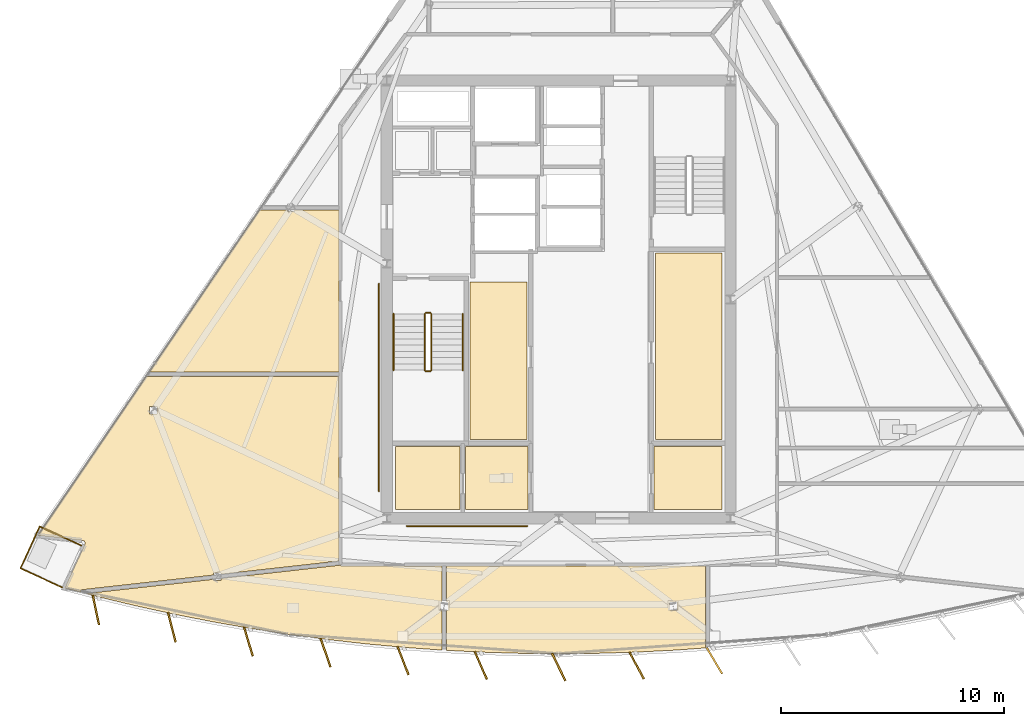
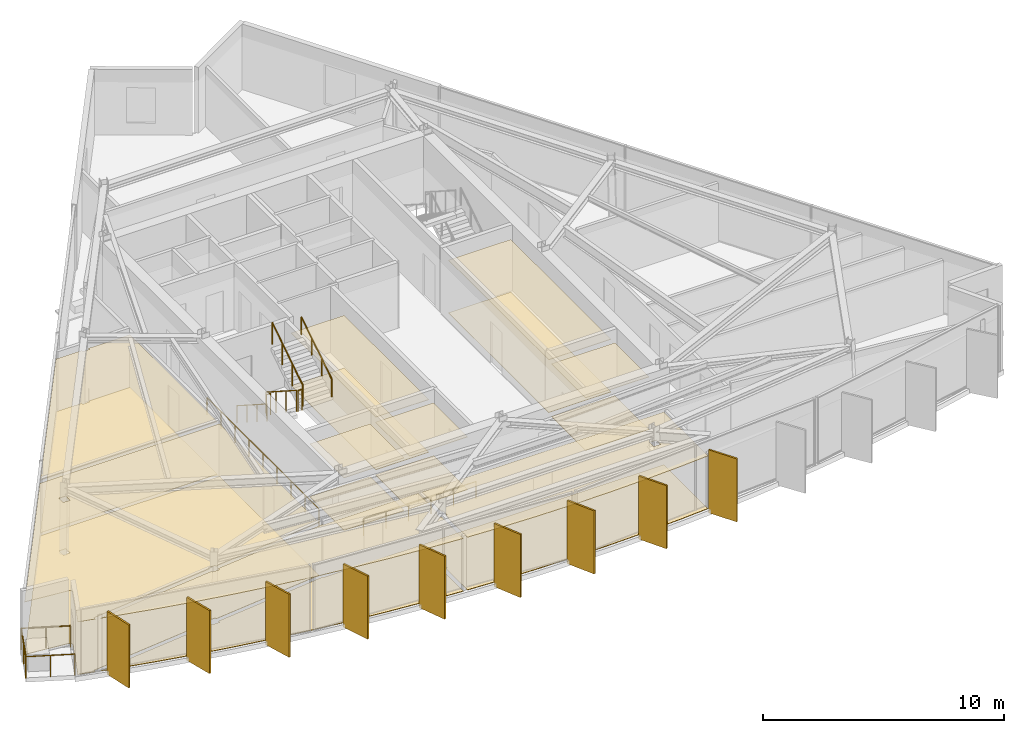
# One storey, part 9 of 12: 18 coverings, 11 railings, 9 shading devices.
"""IFC4 building model written with IfcOpenShell, lengths in metres."""

from ifc_helpers import new_model, si_unit, direction, frame, origin, origin_2d, place, context, subcontext, project, spatial, polyline, rectangle, circle, outline, extrude, material, layer, layer_set, type_object, element, save


model = new_model("IFC4")

# Units and contexts
model_context = context("Model", 3, precision=1e-05, world=origin(), true_north=direction((0.0, 1.0)))
body_context = subcontext(model_context, "Body", "Model", "MODEL_VIEW")
ifc_project = project(units=[si_unit("LENGTHUNIT", "METRE"), si_unit("AREAUNIT", "SQUARE_METRE"), si_unit("VOLUMEUNIT", "CUBIC_METRE"), si_unit("PLANEANGLEUNIT", "RADIAN"), si_unit("MASSUNIT", "GRAM", prefix="KILO")], contexts=[model_context])

# Site, building, storey
site_placement = place(None, origin())
site = spatial("IfcSite", under=ifc_project, at=site_placement, CompositionType="ELEMENT")
building_placement = place(site_placement, origin())
building = spatial("IfcBuilding", under=site, at=building_placement, Name="Savorim Split Tower", CompositionType="ELEMENT")
storey_placement = place(building_placement, frame((0.0, 0.0, 279.60009765625)))
storey = spatial("IfcBuildingStorey", under=building, at=storey_placement, Name="L74", CompositionType="ELEMENT", Elevation=279.60009765625)

# Coverings
ifc_material_1 = material(Name="Mineral Fibre Acoustic Ceiling")
ifc_layer_1 = layer(ifc_material_1, 0.02490234375)
ifc_layer_set_1 = layer_set([ifc_layer_1], Name="COV-CEIL-25")
covering_type_1 = type_object("IfcCoveringType", Name="COV-CEIL-25", PredefinedType="CEILING", material=ifc_layer_set_1)
covering_1_placement = place(storey_placement, frame((0.0, 0.0, 2.669921875)))
element("IfcCovering", 1, at=covering_1_placement, inside=storey, type_object=covering_type_1, Name="L74 Shared Pantry and Linen Room Acoustic Ceiling", PredefinedType="CEILING", context=body_context, shape_type="SweptSolid", body=[
    extrude(outline(polyline([(4.330078125, 2.469970703125), (4.330078125, -5.8701171875), (7.320068359375, -5.8701171875), (7.320068359375, 2.469970703125), (4.330078125, 2.469970703125)])), origin(), (0.0, 0.0, 1.0), 0.02490234375),
])
covering_2_placement = place(storey_placement, frame((0.0, 0.0, 2.669921875)))
element("IfcCovering", 2, at=covering_2_placement, inside=storey, type_object=covering_type_1, Name="L74 Housekeeping and Parcel Room Acoustic Ceiling", PredefinedType="CEILING", context=body_context, shape_type="SweptSolid", body=[
    extrude(outline(polyline([(-3.969970703125, 1.169921875), (-3.969970703125, -5.8701171875), (-1.429931640625, -5.8701171875), (-1.429931640625, 1.169921875), (-3.969970703125, 1.169921875)])), origin(), (0.0, 0.0, 1.0), 0.02490234375),
])
covering_3_placement = place(storey_placement, frame((0.0, 0.0, 2.669921875)))
element("IfcCovering", 3, at=covering_3_placement, inside=storey, type_object=covering_type_1, Name="L74 Housekeeping Store Acoustic Ceiling", PredefinedType="CEILING", context=body_context, shape_type="SweptSolid", body=[
    extrude(outline(polyline([(-7.320068359375, -6.179931640625), (-7.320068359375, -9.02001953125), (-4.429931640625, -9.02001953125), (-4.429931640625, -6.179931640625), (-7.320068359375, -6.179931640625)])), origin(), (0.0, 0.0, 1.0), 0.02490234375),
])
covering_4_placement = place(storey_placement, frame((0.0, 0.0, 2.669921875)))
element("IfcCovering", 4, at=covering_4_placement, inside=storey, type_object=covering_type_1, Name="L74 Accessible WC Acoustic Ceiling", PredefinedType="CEILING", context=body_context, shape_type="SweptSolid", body=[
    extrude(outline(polyline([(-4.169921875, -6.179931640625), (-4.169921875, -9.02001953125), (-1.3798828125, -9.02001953125), (-1.3798828125, -6.179931640625), (-4.169921875, -6.179931640625)])), origin(), (0.0, 0.0, 1.0), 0.02490234375),
])
covering_5_placement = place(storey_placement, frame((0.0, 0.0, 2.669921875)))
element("IfcCovering", 5, at=covering_5_placement, inside=storey, type_object=covering_type_1, Name="L74 Core IT Server Room Acoustic Ceiling", PredefinedType="CEILING", context=body_context, shape_type="SweptSolid", body=[
    extrude(outline(polyline([(4.280029296875, -6.179931640625), (4.280029296875, -9.02001953125), (7.320068359375, -9.02001953125), (7.320068359375, -6.179931640625), (4.280029296875, -6.179931640625)])), origin(), (0.0, 0.0, 1.0), 0.02490234375),
])
covering_6_placement = place(storey_placement, frame((0.0, 0.0, 2.669921875)))
element("IfcCovering", 6, at=covering_6_placement, inside=storey, type_object=covering_type_1, Name="L74 Quiet Study Room Acoustic Ceiling", PredefinedType="CEILING", context=body_context, shape_type="SweptSolid", body=[
    extrude(outline(polyline([(-13.272705078125, 4.411865234375), (-13.367919921875, 4.411865234375), (-13.367919921875, 4.456298828125), (-18.34375, -2.8583984375), (-9.840087890625, -2.8583984375), (-9.840087890625, 4.411865234375), (-11.82470703125, 4.411865234375), (-11.82470703125, 4.331787109375), (-12.15380859375, 4.331787109375), (-12.15380859375, 4.411865234375), (-13.272705078125, 4.411865234375)])), origin(), (0.0, 0.0, 1.0), 0.02490234375),
])
covering_7_placement = place(storey_placement, frame((0.0, 0.0, 2.669921875)))
element("IfcCovering", 7, at=covering_7_placement, inside=storey, type_object=covering_type_1, Name="L74 Co-Working Commons Acoustic Ceiling", PredefinedType="CEILING", context=body_context, shape_type="SweptSolid", body=[
    extrude(outline(polyline([(-21.21337890625, -10.518798828125), (-21.214111328125, -10.530517578125), (-21.21630859375, -10.54248046875), (-21.2197265625, -10.5537109375), (-21.22412109375, -10.56494140625), (-22.125244140625, -12.526123046875), (-21.385986328125, -12.719482421875), (-21.3984375, -12.608154296875), (-15.460693359375, -11.945556640625), (-15.460693359375, -11.84765625), (-15.1318359375, -11.84765625), (-15.1318359375, -11.90869140625), (-9.849609375, -11.3193359375), (-9.840087890625, -11.318115234375), (-9.840087890625, -3.04833984375), (-18.472900390625, -3.04833984375), (-23.3193359375, -10.172119140625), (-21.31982421875, -10.3955078125), (-21.30810546875, -10.3974609375), (-21.296630859375, -10.400390625), (-21.285400390625, -10.40478515625), (-21.274658203125, -10.409912109375), (-21.2646484375, -10.41650390625), (-21.255126953125, -10.423583984375), (-21.24658203125, -10.431884765625), (-21.23876953125, -10.44091796875), (-21.231689453125, -10.45068359375), (-21.225830078125, -10.4609375), (-21.22119140625, -10.471923828125), (-21.21728515625, -10.4833984375), (-21.21484375, -10.494873046875), (-21.21337890625, -10.5068359375), (-21.21337890625, -10.518798828125)]), holes=[polyline([(-18.322021484375, -4.7353515625), (-17.992919921875, -4.7353515625), (-17.992919921875, -4.385498046875), (-18.322021484375, -4.385498046875), (-18.322021484375, -4.7353515625)])]), origin(), (0.0, 0.0, 1.0), 0.02490234375),
])
covering_8_placement = place(storey_placement, frame((0.0, 0.0, 2.669921875)))
element("IfcCovering", 8, at=covering_8_placement, inside=storey, type_object=covering_type_1, Name="L74 Shared Kitchen Acoustic Ceiling", PredefinedType="CEILING", context=body_context, shape_type="SweptSolid", body=[
    extrude(outline(polyline([(-12.088623046875, -14.601806640625), (-10.37109375, -14.83154296875), (-8.649169921875, -15.026123046875), (-6.923583984375, -15.185546875), (-5.2216796875, -15.3076171875), (-5.2216796875, -13.50341796875), (-5.291015625, -13.50341796875), (-5.291015625, -13.1533203125), (-5.2216796875, -13.1533203125), (-5.2216796875, -11.5400390625), (-9.699951171875, -11.5400390625), (-9.713623046875, -11.539306640625), (-9.727294921875, -11.537353515625), (-9.740478515625, -11.533935546875), (-9.753662109375, -11.529296875), (-9.76611328125, -11.5234375), (-9.77783203125, -11.516357421875), (-9.788818359375, -11.50830078125), (-9.793212890625, -11.504150390625), (-15.1318359375, -12.099853515625), (-15.1318359375, -12.19775390625), (-15.460693359375, -12.19775390625), (-15.460693359375, -12.13671875), (-21.17578125, -12.7744140625), (-20.5859375, -12.9287109375), (-18.90087890625, -13.332763671875), (-17.2080078125, -13.7021484375), (-15.5078125, -14.036865234375), (-13.801025390625, -14.3369140625), (-12.088623046875, -14.601806640625)])), origin(), (0.0, 0.0, 1.0), 0.02490234375),
])
covering_9_placement = place(storey_placement, frame((0.0, 0.0, 2.669921875)))
element("IfcCovering", 9, at=covering_9_placement, inside=storey, type_object=covering_type_1, Name="L74 Quiet Study Room Acoustic Ceiling", PredefinedType="CEILING", context=body_context, shape_type="SweptSolid", body=[
    extrude(outline(polyline([(1.732666015625, -15.451171875), (3.46484375, -15.398193359375), (5.1953125, -15.3095703125), (6.578857421875, -15.210205078125), (6.578857421875, -11.5400390625), (-5.031494140625, -11.5400390625), (-5.031494140625, -13.1533203125), (-4.962158203125, -13.1533203125), (-4.962158203125, -13.50341796875), (-5.031494140625, -13.50341796875), (-5.031494140625, -15.262939453125), (-5.031494140625, -15.31787109375), (-3.46484375, -15.398193359375), (-1.732666015625, -15.451171875), (0.0, -15.468994140625), (1.732666015625, -15.451171875)]), holes=[polyline([(4.962158203125, -13.50341796875), (5.291015625, -13.50341796875), (5.291015625, -13.1533203125), (4.962158203125, -13.1533203125), (4.962158203125, -13.50341796875)])]), origin(), (0.0, 0.0, 1.0), 0.02490234375),
])
ifc_material_2 = material(Name="Porcelain Stoneware Flooring", Category="masonry")
ifc_layer_2 = layer(ifc_material_2, 0.02001953125)
ifc_layer_set_2 = layer_set([ifc_layer_2], Name="COV-FLOR-20")
covering_type_2 = type_object("IfcCoveringType", Name="COV-FLOR-20", PredefinedType="FLOORING", material=ifc_layer_set_2)
covering_10_placement = place(storey_placement, origin())
element("IfcCovering", 10, at=covering_10_placement, inside=storey, type_object=covering_type_2, Name="L74 Shared Pantry and Linen Room Porcelain Flooring", PredefinedType="FLOORING", context=body_context, shape_type="SweptSolid", body=[
    extrude(outline(polyline([(4.330078125, 2.469970703125), (4.330078125, -5.8701171875), (7.320068359375, -5.8701171875), (7.320068359375, 2.469970703125), (4.330078125, 2.469970703125)])), origin(), (0.0, 0.0, 1.0), 0.02001953125),
])
covering_11_placement = place(storey_placement, origin())
element("IfcCovering", 11, at=covering_11_placement, inside=storey, type_object=covering_type_2, Name="L74 Housekeeping and Parcel Room Porcelain Flooring", PredefinedType="FLOORING", context=body_context, shape_type="SweptSolid", body=[
    extrude(outline(polyline([(-3.969970703125, 1.169921875), (-3.969970703125, -5.8701171875), (-1.429931640625, -5.8701171875), (-1.429931640625, 1.169921875), (-3.969970703125, 1.169921875)])), origin(), (0.0, 0.0, 1.0), 0.02001953125),
])
covering_12_placement = place(storey_placement, origin())
element("IfcCovering", 12, at=covering_12_placement, inside=storey, type_object=covering_type_2, Name="L74 Housekeeping Store Porcelain Flooring", PredefinedType="FLOORING", context=body_context, shape_type="SweptSolid", body=[
    extrude(outline(polyline([(-7.320068359375, -6.179931640625), (-7.320068359375, -9.02001953125), (-4.429931640625, -9.02001953125), (-4.429931640625, -6.179931640625), (-7.320068359375, -6.179931640625)])), origin(), (0.0, 0.0, 1.0), 0.02001953125),
])
covering_13_placement = place(storey_placement, origin())
element("IfcCovering", 13, at=covering_13_placement, inside=storey, type_object=covering_type_2, Name="L74 Accessible WC Porcelain Flooring", PredefinedType="FLOORING", context=body_context, shape_type="SweptSolid", body=[
    extrude(outline(polyline([(-4.169921875, -6.179931640625), (-4.169921875, -9.02001953125), (-1.3798828125, -9.02001953125), (-1.3798828125, -6.179931640625), (-4.169921875, -6.179931640625)])), origin(), (0.0, 0.0, 1.0), 0.02001953125),
])
covering_14_placement = place(storey_placement, origin())
element("IfcCovering", 14, at=covering_14_placement, inside=storey, type_object=covering_type_2, Name="L74 Core IT Server Room Porcelain Flooring", PredefinedType="FLOORING", context=body_context, shape_type="SweptSolid", body=[
    extrude(outline(polyline([(4.280029296875, -6.179931640625), (4.280029296875, -9.02001953125), (7.320068359375, -9.02001953125), (7.320068359375, -6.179931640625), (4.280029296875, -6.179931640625)])), origin(), (0.0, 0.0, 1.0), 0.02001953125),
])
covering_15_placement = place(storey_placement, origin())
element("IfcCovering", 15, at=covering_15_placement, inside=storey, type_object=covering_type_2, Name="L74 Quiet Study Room Porcelain Flooring", PredefinedType="FLOORING", context=body_context, shape_type="SweptSolid", body=[
    extrude(outline(polyline([(-13.272705078125, 4.411865234375), (-13.367919921875, 4.411865234375), (-13.367919921875, 4.456298828125), (-18.34375, -2.8583984375), (-9.840087890625, -2.8583984375), (-9.840087890625, 4.411865234375), (-11.82470703125, 4.411865234375), (-11.82470703125, 4.331787109375), (-12.15380859375, 4.331787109375), (-12.15380859375, 4.411865234375), (-13.272705078125, 4.411865234375)])), origin(), (0.0, 0.0, 1.0), 0.02001953125),
])
covering_16_placement = place(storey_placement, origin())
element("IfcCovering", 16, at=covering_16_placement, inside=storey, type_object=covering_type_2, Name="L74 Co-Working Commons Porcelain Flooring", PredefinedType="FLOORING", context=body_context, shape_type="SweptSolid", body=[
    extrude(outline(polyline([(-21.21337890625, -10.518798828125), (-21.214111328125, -10.530517578125), (-21.21630859375, -10.54248046875), (-21.2197265625, -10.5537109375), (-21.22412109375, -10.56494140625), (-22.125244140625, -12.526123046875), (-21.385986328125, -12.719482421875), (-21.3984375, -12.608154296875), (-15.460693359375, -11.945556640625), (-15.460693359375, -11.84765625), (-15.1318359375, -11.84765625), (-15.1318359375, -11.90869140625), (-9.849609375, -11.3193359375), (-9.840087890625, -11.318115234375), (-9.840087890625, -3.04833984375), (-18.472900390625, -3.04833984375), (-23.3193359375, -10.172119140625), (-21.31982421875, -10.3955078125), (-21.30810546875, -10.3974609375), (-21.296630859375, -10.400390625), (-21.285400390625, -10.40478515625), (-21.274658203125, -10.409912109375), (-21.2646484375, -10.41650390625), (-21.255126953125, -10.423583984375), (-21.24658203125, -10.431884765625), (-21.23876953125, -10.44091796875), (-21.231689453125, -10.45068359375), (-21.225830078125, -10.4609375), (-21.22119140625, -10.471923828125), (-21.21728515625, -10.4833984375), (-21.21484375, -10.494873046875), (-21.21337890625, -10.5068359375), (-21.21337890625, -10.518798828125)]), holes=[polyline([(-18.322021484375, -4.7353515625), (-17.992919921875, -4.7353515625), (-17.992919921875, -4.385498046875), (-18.322021484375, -4.385498046875), (-18.322021484375, -4.7353515625)])]), origin(), (0.0, 0.0, 1.0), 0.02001953125),
])
covering_17_placement = place(storey_placement, origin())
element("IfcCovering", 17, at=covering_17_placement, inside=storey, type_object=covering_type_2, Name="L74 Shared Kitchen Porcelain Flooring", PredefinedType="FLOORING", context=body_context, shape_type="SweptSolid", body=[
    extrude(outline(polyline([(-12.088623046875, -14.601806640625), (-10.37109375, -14.83154296875), (-8.649169921875, -15.026123046875), (-6.923583984375, -15.185546875), (-5.2216796875, -15.3076171875), (-5.2216796875, -13.50341796875), (-5.291015625, -13.50341796875), (-5.291015625, -13.1533203125), (-5.2216796875, -13.1533203125), (-5.2216796875, -11.5400390625), (-9.699951171875, -11.5400390625), (-9.713623046875, -11.539306640625), (-9.727294921875, -11.537353515625), (-9.740478515625, -11.533935546875), (-9.753662109375, -11.529296875), (-9.76611328125, -11.5234375), (-9.77783203125, -11.516357421875), (-9.788818359375, -11.50830078125), (-9.793212890625, -11.504150390625), (-15.1318359375, -12.099853515625), (-15.1318359375, -12.19775390625), (-15.460693359375, -12.19775390625), (-15.460693359375, -12.13671875), (-21.17578125, -12.7744140625), (-20.5859375, -12.9287109375), (-18.90087890625, -13.332763671875), (-17.2080078125, -13.7021484375), (-15.5078125, -14.036865234375), (-13.801025390625, -14.3369140625), (-12.088623046875, -14.601806640625)])), origin(), (0.0, 0.0, 1.0), 0.02001953125),
])
covering_18_placement = place(storey_placement, origin())
element("IfcCovering", 18, at=covering_18_placement, inside=storey, type_object=covering_type_2, Name="L74 Quiet Study Room Porcelain Flooring", PredefinedType="FLOORING", context=body_context, shape_type="SweptSolid", body=[
    extrude(outline(polyline([(1.732666015625, -15.451171875), (3.46484375, -15.398193359375), (5.1953125, -15.3095703125), (6.578857421875, -15.210205078125), (6.578857421875, -11.5400390625), (-5.031494140625, -11.5400390625), (-5.031494140625, -13.1533203125), (-4.962158203125, -13.1533203125), (-4.962158203125, -13.50341796875), (-5.031494140625, -13.50341796875), (-5.031494140625, -15.262939453125), (-5.031494140625, -15.31787109375), (-3.46484375, -15.398193359375), (-1.732666015625, -15.451171875), (0.0, -15.468994140625), (1.732666015625, -15.451171875)]), holes=[polyline([(4.962158203125, -13.50341796875), (5.291015625, -13.50341796875), (5.291015625, -13.1533203125), (4.962158203125, -13.1533203125), (4.962158203125, -13.50341796875)])]), origin(), (0.0, 0.0, 1.0), 0.02001953125),
])

# Railings
ifc_material_3 = material(Name="Galvanised Painted Steel Balustrade", Category="steel")
railing_type_1 = type_object("IfcRailingType", Name="RLG-BAL-1100", PredefinedType="BALUSTRADE", material=ifc_material_3)
railing_1_placement = place(storey_placement, frame((-22.243896484375, -12.4970703125, 0.0)))
element("IfcRailing", 19, at=railing_1_placement, inside=storey, type_object=railing_type_1, Name="L74 Tree Balcony Guardrail SW-1", PredefinedType="BALUSTRADE", context=body_context, shape_type="SweptSolid", body=[
    extrude(circle(Radius=0.02392578125, at=origin_2d()), frame((0.0, 0.0, 1.076171875), z_axis=(-0.908662190505, 0.417532062898, 0.0), x_axis=(-0.417532062898, -0.908662190505, 0.0)), (0.0, 0.0, 1.0), 2.050048828125),
    extrude(circle(Radius=0.02099609375, at=origin_2d()), origin(), (0.0, 0.0, 1.0), 1.052001953125),
    extrude(circle(Radius=0.02099609375, at=origin_2d()), frame((-0.931396484375, 0.427978515625, 0.0)), (0.0, 0.0, 1.0), 1.052001953125),
    extrude(circle(Radius=0.02099609375, at=origin_2d()), frame((-1.86279296875, 0.85595703125, 0.0)), (0.0, 0.0, 1.0), 1.052001953125),
])
railing_2_placement = place(storey_placement, frame((-24.106689453125, -11.64111328125, 0.0)))
element("IfcRailing", 20, at=railing_2_placement, inside=storey, type_object=railing_type_1, Name="L74 Tree Balcony Guardrail SW-2", PredefinedType="BALUSTRADE", context=body_context, shape_type="SweptSolid", body=[
    extrude(circle(Radius=0.02392578125, at=origin_2d()), frame((0.0, 0.0, 1.076171875), z_axis=(0.417457885671, 0.908696271419, 0.0), x_axis=(-0.908696271419, 0.417457885671, 0.0)), (0.0, 0.0, 1.0), 2.0615234375),
    extrude(circle(Radius=0.02099609375, at=origin_2d()), origin(), (0.0, 0.0, 1.0), 1.052001953125),
    extrude(circle(Radius=0.02099609375, at=origin_2d()), frame((0.43017578125, 0.9365234375, 0.0)), (0.0, 0.0, 1.0), 1.052001953125),
    extrude(circle(Radius=0.02099609375, at=origin_2d()), frame((0.860595703125, 1.873291015625, 0.0)), (0.0, 0.0, 1.0), 1.052001953125),
])
railing_3_placement = place(storey_placement, frame((-23.24609375, -9.767822265625, 0.0)))
element("IfcRailing", 21, at=railing_3_placement, inside=storey, type_object=railing_type_1, Name="L74 Tree Balcony Guardrail SW-3", PredefinedType="BALUSTRADE", context=body_context, shape_type="SweptSolid", body=[
    extrude(circle(Radius=0.02392578125, at=origin_2d()), frame((0.0, 0.0, 1.076171875), z_axis=(0.908662190505, -0.417532062898, 0.0), x_axis=(0.417532062898, 0.908662190505, 0.0)), (0.0, 0.0, 1.0), 2.050048828125),
    extrude(circle(Radius=0.02099609375, at=origin_2d()), origin(), (0.0, 0.0, 1.0), 1.052001953125),
    extrude(circle(Radius=0.02099609375, at=origin_2d()), frame((0.931396484375, -0.427978515625, 0.0)), (0.0, 0.0, 1.0), 1.052001953125),
    extrude(circle(Radius=0.02099609375, at=origin_2d()), frame((1.86279296875, -0.85595703125, 0.0)), (0.0, 0.0, 1.0), 1.052001953125),
])
railing_type_2 = type_object("IfcRailingType", Name="RLG-HR-900", PredefinedType="HANDRAIL", material=ifc_material_3)
railing_4_placement = place(storey_placement, frame((-7.39990234375, -0.25, 0.179931640625)))
element("IfcRailing", 22, at=railing_4_placement, inside=storey, type_object=railing_type_2, Name="L74 ST-1 stair handrail 1", PredefinedType="HANDRAIL", context=body_context, shape_type="SweptSolid", body=[
    extrude(circle(Radius=0.02392578125, at=origin_2d()), frame((0.0, 0.0, 0.8759765625), z_axis=(0.0, -0.841199657755, 0.540724639528), x_axis=(1.0, 0.0, 0.0)), (0.0, 0.0, 1.0), 2.995849609375),
    extrude(circle(Radius=0.02099609375, at=origin_2d()), origin(), (0.0, 0.0, 1.0), 0.851806640625),
    extrude(circle(Radius=0.02099609375, at=origin_2d()), frame((0.0, -0.840087890625, 0.5400390625)), (0.0, 0.0, 1.0), 0.851806640625),
    extrude(circle(Radius=0.02099609375, at=origin_2d()), frame((0.0, -1.679931640625, 1.079833984375)), (0.0, 0.0, 1.0), 0.851806640625),
    extrude(circle(Radius=0.02099609375, at=origin_2d()), frame((0.0, -2.52001953125, 1.619873046875)), (0.0, 0.0, 1.0), 0.851806640625),
])
railing_5_placement = place(storey_placement, frame((-4.300048828125, -2.77001953125, 1.97998046875)))
element("IfcRailing", 23, at=railing_5_placement, inside=storey, type_object=railing_type_2, Name="L74 ST-1 stair handrail 2", PredefinedType="HANDRAIL", context=body_context, shape_type="SweptSolid", body=[
    extrude(circle(Radius=0.02392578125, at=origin_2d()), frame((0.0, 0.0, 0.8759765625), z_axis=(0.0, 0.841199657755, 0.540724639528), x_axis=(-1.0, 0.0, 0.0)), (0.0, 0.0, 1.0), 2.995849609375),
    extrude(circle(Radius=0.02099609375, at=origin_2d()), origin(), (0.0, 0.0, 1.0), 0.851806640625),
    extrude(circle(Radius=0.02099609375, at=origin_2d()), frame((0.0, 0.840087890625, 0.5400390625)), (0.0, 0.0, 1.0), 0.851806640625),
    extrude(circle(Radius=0.02099609375, at=origin_2d()), frame((0.0, 1.679931640625, 1.079833984375)), (0.0, 0.0, 1.0), 0.851806640625),
    extrude(circle(Radius=0.02099609375, at=origin_2d()), frame((0.0, 2.52001953125, 1.619873046875)), (0.0, 0.0, 1.0), 0.851806640625),
])
railing_6_placement = place(storey_placement, frame((-6.800048828125, -9.75, 0.0)))
element("IfcRailing", 24, at=railing_6_placement, inside=storey, type_object=railing_type_2, Name="L74 Corridor South Accessible Handrail", PredefinedType="HANDRAIL", context=body_context, shape_type="SweptSolid", body=[
    extrude(circle(Radius=0.02392578125, at=origin_2d()), frame((0.0, 0.0, 0.8759765625), z_axis=(1.0, 0.0, 0.0), x_axis=(0.0, 1.0, 0.0)), (0.0, 0.0, 1.0), 5.400146484375),
    extrude(circle(Radius=0.02099609375, at=origin_2d()), origin(), (0.0, 0.0, 1.0), 0.851806640625),
    extrude(circle(Radius=0.02099609375, at=origin_2d()), frame((1.080078125, 0.0, 0.0)), (0.0, 0.0, 1.0), 0.851806640625),
    extrude(circle(Radius=0.02099609375, at=origin_2d()), frame((2.16015625, 0.0, 0.0)), (0.0, 0.0, 1.0), 0.851806640625),
    extrude(circle(Radius=0.02099609375, at=origin_2d()), frame((3.239990234375, 0.0, 0.0)), (0.0, 0.0, 1.0), 0.851806640625),
    extrude(circle(Radius=0.02099609375, at=origin_2d()), frame((4.320068359375, 0.0, 0.0)), (0.0, 0.0, 1.0), 0.851806640625),
    extrude(circle(Radius=0.02099609375, at=origin_2d()), frame((5.400146484375, 0.0, 0.0)), (0.0, 0.0, 1.0), 0.851806640625),
])
railing_7_placement = place(storey_placement, frame((-8.050048828125, -8.199951171875, 0.0)))
element("IfcRailing", 25, at=railing_7_placement, inside=storey, type_object=railing_type_2, Name="L74 Corridor West Accessible Handrail", PredefinedType="HANDRAIL", context=body_context, shape_type="SweptSolid", body=[
    extrude(circle(Radius=0.02392578125, at=origin_2d()), frame((0.0, 0.0, 0.8759765625), z_axis=(0.0, 1.0, 0.0), x_axis=(-1.0, 0.0, 0.0)), (0.0, 0.0, 1.0), 9.300048828125),
    extrude(circle(Radius=0.02099609375, at=origin_2d()), origin(), (0.0, 0.0, 1.0), 0.851806640625),
    extrude(circle(Radius=0.02099609375, at=origin_2d()), frame((0.0, 1.16259765625, 0.0)), (0.0, 0.0, 1.0), 0.851806640625),
    extrude(circle(Radius=0.02099609375, at=origin_2d()), frame((0.0, 2.324951171875, 0.0)), (0.0, 0.0, 1.0), 0.851806640625),
    extrude(circle(Radius=0.02099609375, at=origin_2d()), frame((0.0, 3.487548828125, 0.0)), (0.0, 0.0, 1.0), 0.851806640625),
    extrude(circle(Radius=0.02099609375, at=origin_2d()), frame((0.0, 4.64990234375, 0.0)), (0.0, 0.0, 1.0), 0.851806640625),
    extrude(circle(Radius=0.02099609375, at=origin_2d()), frame((0.0, 5.8125, 0.0)), (0.0, 0.0, 1.0), 0.851806640625),
    extrude(circle(Radius=0.02099609375, at=origin_2d()), frame((0.0, 6.97509765625, 0.0)), (0.0, 0.0, 1.0), 0.851806640625),
    extrude(circle(Radius=0.02099609375, at=origin_2d()), frame((0.0, 8.137451171875, 0.0)), (0.0, 0.0, 1.0), 0.851806640625),
    extrude(circle(Radius=0.02099609375, at=origin_2d()), frame((0.0, 9.300048828125, 0.0)), (0.0, 0.0, 1.0), 0.851806640625),
])
railing_type_3 = type_object("IfcRailingType", Name="RLG-STG-1100", PredefinedType="BALUSTRADE", material=ifc_material_3)
railing_8_placement = place(storey_placement, frame((-6.0, -0.25, 0.179931640625)))
element("IfcRailing", 26, at=railing_8_placement, inside=storey, type_object=railing_type_3, Name="L74 ST-1 stair guard 1", PredefinedType="BALUSTRADE", context=body_context, shape_type="SweptSolid", body=[
    extrude(circle(Radius=0.02392578125, at=origin_2d()), frame((0.0, 0.0, 1.076171875), z_axis=(0.0, -0.841199657755, 0.540724639528), x_axis=(1.0, 0.0, 0.0)), (0.0, 0.0, 1.0), 2.995849609375),
    extrude(circle(Radius=0.02099609375, at=origin_2d()), origin(), (0.0, 0.0, 1.0), 1.052001953125),
    extrude(circle(Radius=0.02099609375, at=origin_2d()), frame((0.0, -0.840087890625, 0.5400390625)), (0.0, 0.0, 1.0), 1.052001953125),
    extrude(circle(Radius=0.02099609375, at=origin_2d()), frame((0.0, -1.679931640625, 1.079833984375)), (0.0, 0.0, 1.0), 1.052001953125),
    extrude(circle(Radius=0.02099609375, at=origin_2d()), frame((0.0, -2.52001953125, 1.619873046875)), (0.0, 0.0, 1.0), 1.052001953125),
])
railing_9_placement = place(storey_placement, frame((-5.949951171875, -2.820068359375, 1.7998046875)))
element("IfcRailing", 27, at=railing_9_placement, inside=storey, type_object=railing_type_3, Name="L74 ST-1 stair guard 2", PredefinedType="BALUSTRADE", context=body_context, shape_type="SweptSolid", body=[
    extrude(circle(Radius=0.02392578125, at=origin_2d()), frame((0.0, 0.0, 1.076171875), z_axis=(1.0, 0.0, 0.0), x_axis=(0.0, 1.0, 0.0)), (0.0, 0.0, 1.0), 0.199951171875),
    extrude(circle(Radius=0.02099609375, at=origin_2d()), origin(), (0.0, 0.0, 1.0), 1.052001953125),
    extrude(circle(Radius=0.02099609375, at=origin_2d()), frame((0.199951171875, 0.0, 0.0)), (0.0, 0.0, 1.0), 1.052001953125),
])
railing_10_placement = place(storey_placement, frame((-5.699951171875, -2.77001953125, 1.97998046875)))
element("IfcRailing", 28, at=railing_10_placement, inside=storey, type_object=railing_type_3, Name="L74 ST-1 stair guard 3", PredefinedType="BALUSTRADE", context=body_context, shape_type="SweptSolid", body=[
    extrude(circle(Radius=0.02392578125, at=origin_2d()), frame((0.0, 0.0, 1.076171875), z_axis=(0.0, 0.841199657755, 0.540724639528), x_axis=(-1.0, 0.0, 0.0)), (0.0, 0.0, 1.0), 2.995849609375),
    extrude(circle(Radius=0.02099609375, at=origin_2d()), origin(), (0.0, 0.0, 1.0), 1.052001953125),
    extrude(circle(Radius=0.02099609375, at=origin_2d()), frame((0.0, 0.840087890625, 0.5400390625)), (0.0, 0.0, 1.0), 1.052001953125),
    extrude(circle(Radius=0.02099609375, at=origin_2d()), frame((0.0, 1.679931640625, 1.079833984375)), (0.0, 0.0, 1.0), 1.052001953125),
    extrude(circle(Radius=0.02099609375, at=origin_2d()), frame((0.0, 2.52001953125, 1.619873046875)), (0.0, 0.0, 1.0), 1.052001953125),
])
railing_11_placement = place(storey_placement, frame((-5.949951171875, -0.199951171875, 0.0)))
element("IfcRailing", 29, at=railing_11_placement, inside=storey, type_object=railing_type_3, Name="L74 ST-1 stair guard 4", PredefinedType="BALUSTRADE", context=body_context, shape_type="SweptSolid", body=[
    extrude(circle(Radius=0.02392578125, at=origin_2d()), frame((0.0, 0.0, 1.076171875), z_axis=(1.0, 0.0, 0.0), x_axis=(0.0, 1.0, 0.0)), (0.0, 0.0, 1.0), 0.199951171875),
    extrude(circle(Radius=0.02099609375, at=origin_2d()), origin(), (0.0, 0.0, 1.0), 1.052001953125),
    extrude(circle(Radius=0.02099609375, at=origin_2d()), frame((0.199951171875, 0.0, 0.0)), (0.0, 0.0, 1.0), 1.052001953125),
])

# Shading devices
ifc_material_4 = material(Name="Terracotta Ceramic-Coated Aluminium Fin", Category="masonry")
shading_device_type = type_object("IfcShadingDeviceType", Name="SHD-FIN-1360", PredefinedType="USERDEFINED", material=ifc_material_4)
for number, where, z_axis, x_axis, name in (
    (30, (-20.73095703125, -13.5068359375, -0.2001953125), (0.0, 0.0, 1.0), (0.206721626106, -0.978399800337, 0.0), "L74 Sawtooth Shading Fin 01"),
    (31, (-17.3291015625, -14.28564453125, -0.2001953125), (0.0, 0.0, 1.0), (0.246581250663, -0.969122121727, 0.0), "L74 Sawtooth Shading Fin 02"),
    (32, (-13.898193359375, -14.9248046875, -0.2001953125), (0.0, 0.0, 1.0), (0.286026212504, -0.958221793616, 0.0), "L74 Sawtooth Shading Fin 03"),
    (33, (-10.444091796875, -15.423095703125, -0.2001953125), (0.0, 0.0, 1.0), (0.324993810493, -0.945716143005, 0.0), "L74 Sawtooth Shading Fin 04"),
    (34, (-6.972412109375, -15.779541015625, -0.2001953125), (0.0, 0.0, 1.0), (0.363415461732, -0.931627179817, 0.0), "L74 Sawtooth Shading Fin 05"),
    (35, (-3.489013671875, -15.99365234375, -0.2001953125), (0.0, 0.0, 1.0), (0.401230091723, -0.915977299662, 0.0), "L74 Sawtooth Shading Fin 06"),
    (36, (0.0, -16.06494140625, -0.2001953125), (0.0, 0.0, 1.0), (0.438371146789, -0.898794046299, 0.0), "L74 Sawtooth Shading Fin 07"),
    (37, (3.489013671875, -15.99365234375, -0.2001953125), (0.0, 0.0, 1.0), (0.474778051978, -0.880105562623, 0.0), "L74 Sawtooth Shading Fin 08"),
    (38, (6.972412109375, -15.779541015625, -0.2001953125), (0.0, 0.0, 1.0), (0.510391336723, -0.859942255851, 0.0), "L74 Sawtooth Shading Fin 09"),
):
    element("IfcShadingDevice", number, at=place(storey_placement, frame(where, z_axis=z_axis, x_axis=x_axis)), inside=storey, type_object=shading_device_type, Name=name, ObjectType="FIN", PredefinedType="USERDEFINED", context=body_context, shape_type="SweptSolid", body=[
        extrude(rectangle(XDim=1.360107421875, YDim=0.080078125, at=origin_2d()), origin(), (0.0, 0.0, 1.0), 3.199951171875),
    ])

save(model, "model.ifc")
